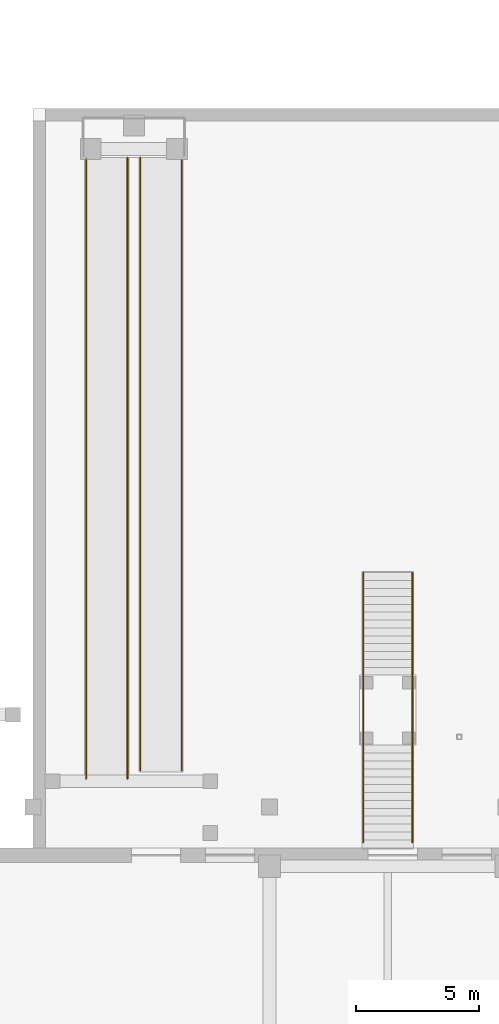
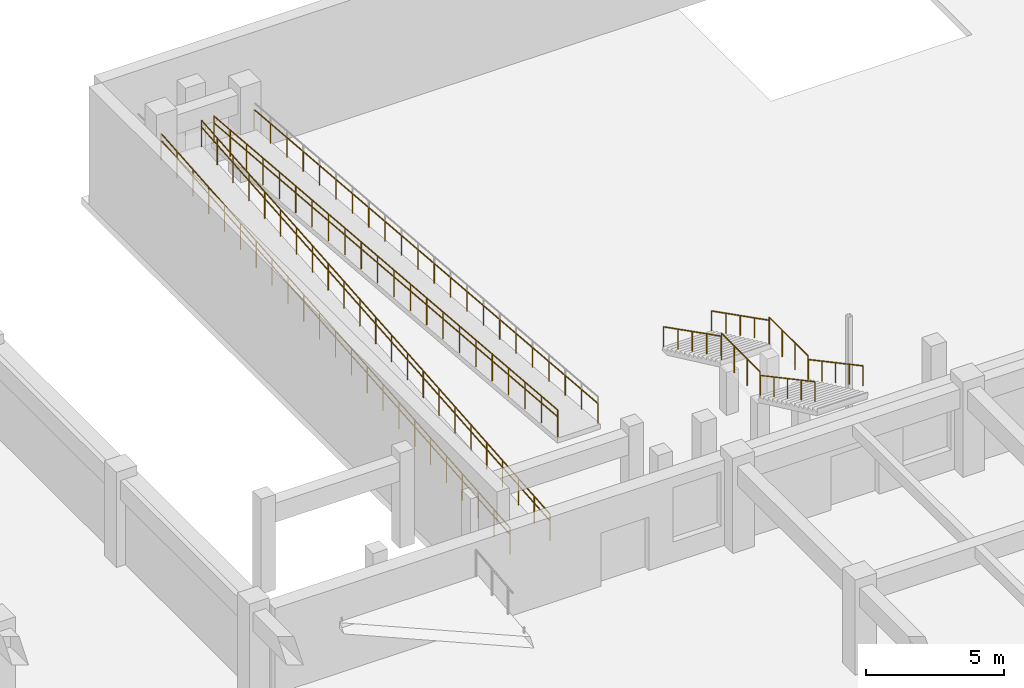
# One storey, part 32 of 39: 13 railings.
"""IFC4 building model written with IfcOpenShell, lengths in metres."""

import ifcopenshell
import ifcopenshell.guid

model = None  # the IFC model being written
_history = None  # IfcOwnerHistory: only IFC2X3 demands one
_inside = {}  # id of a spatial element -> (the spatial element, [elements in it])
_under = {}  # id of a project, library or spatial element -> (it, [spatial elements below it])
_declared = {}  # id of a project -> (the project, [libraries it declares])
_typed = {}  # id of a type object -> (the type object, [elements of that type])
_made_of = {}  # id of a material, layer set ... -> (it, [elements and type objects made of it])


def new_model(schema):
    """Start an empty IFC model of exactly this schema.

    Asked for "IFC4X3", IfcOpenShell would pick the latest addendum, in which some entities
    have other attributes; the version numbers below select the first issue.
    IFC2X3 requires an IfcOwnerHistory on every rooted entity: one is made here for all.
    """
    global model, _history
    if schema == "IFC4X3":
        model = ifcopenshell.file(schema_version=(4, 3, 0, 0))
    else:
        model = ifcopenshell.file(schema=schema)
    _inside.clear()
    _under.clear()
    _declared.clear()
    _typed.clear()
    _made_of.clear()
    _history = None
    if model.schema == "IFC2X3":
        org = make("IfcOrganization", Name="unknown")
        user = make(
            "IfcPersonAndOrganization",
            ThePerson=make("IfcPerson", FamilyName="unknown"),
            TheOrganization=org,
        )
        app = make(
            "IfcApplication",
            ApplicationDeveloper=org,
            Version="unknown",
            ApplicationFullName="unknown",
            ApplicationIdentifier="unknown",
        )
        _history = make(
            "IfcOwnerHistory",
            OwningUser=user,
            OwningApplication=app,
            ChangeAction="ADDED",
            CreationDate=0,
        )
    return model


def make(cls, **values):
    """One entity of the class cls with the attributes given. An attribute that is None is left unset."""
    return model.create_entity(
        cls, **{name: value for name, value in values.items() if value is not None}
    )


def rooted(cls, **values):
    """An entity with a GlobalId (a new one), such as an element, a storey or a relation."""
    return make(cls, GlobalId=ifcopenshell.guid.new(), OwnerHistory=_history, **values)


def si_unit(unit_type, name, prefix=None):
    """IfcSIUnit, for example si_unit("LENGTHUNIT", "METRE", prefix="MILLI")."""
    return make("IfcSIUnit", UnitType=unit_type, Prefix=prefix, Name=name)


def assignment(units):
    """IfcUnitAssignment: the units of a project."""
    return None if units is None else make("IfcUnitAssignment", Units=units)


def point(xyz):
    """IfcCartesianPoint."""
    return None if xyz is None else make("IfcCartesianPoint", Coordinates=xyz)


def direction(xyz):
    """IfcDirection."""
    return None if xyz is None else make("IfcDirection", DirectionRatios=xyz)


def frame(location, z_axis=None, x_axis=None):
    """IfcAxis2Placement3D, a coordinate frame: its origin and axes. An axis left out is left unset."""
    return make(
        "IfcAxis2Placement3D",
        Location=point(location),
        Axis=direction(z_axis),
        RefDirection=direction(x_axis),
    )


def frame_2d(location, x_axis=None):
    """IfcAxis2Placement2D, a coordinate frame in the plane: its origin and x axis."""
    return make(
        "IfcAxis2Placement2D", Location=point(location), RefDirection=direction(x_axis)
    )


def origin():
    """The frame at (0, 0, 0) with its axes left unset."""
    return frame((0.0, 0.0, 0.0))


def origin_2d():
    """The frame at (0, 0) in the plane with its x axis left unset."""
    return frame_2d((0.0, 0.0))


def place(relative_to, where):
    """IfcLocalPlacement: puts the frame where relative to a parent placement (None: the world)."""
    return make(
        "IfcLocalPlacement", PlacementRelTo=relative_to, RelativePlacement=where
    )


def context(
    kind, dimensions, precision=None, world=None, true_north=None, identifier=None
):
    """IfcGeometricRepresentationContext, for example the 3D "Model" context."""
    return make(
        "IfcGeometricRepresentationContext",
        ContextIdentifier=identifier,
        ContextType=kind,
        CoordinateSpaceDimension=dimensions,
        Precision=precision,
        WorldCoordinateSystem=world,
        TrueNorth=true_north,
    )


def subcontext(parent, identifier, kind, view, scale=None):
    """IfcGeometricRepresentationSubContext, for example "Body" below "Model"."""
    return make(
        "IfcGeometricRepresentationSubContext",
        ContextIdentifier=identifier,
        ContextType=kind,
        ParentContext=parent,
        TargetScale=scale,
        TargetView=view,
    )


def project(units=None, contexts=None):
    """IfcProject with its units and contexts."""
    return rooted(
        "IfcProject",
        Name="project",
        RepresentationContexts=contexts,
        UnitsInContext=assignment(units),
    )


def spatial(cls, under=None, at=None, **own):
    """A site, building, storey or space (cls), placed at a placement, below another one or the project."""
    s = rooted(cls, ObjectPlacement=at, **own)
    if under is not None:
        _under.setdefault(under.id(), (under, []))[1].append(s)
    return s


def profile(cls, at=None, kind="AREA", **sizes):
    """A parametric profile (cls). Its sizes go by their IFC names, for example OverallWidth=200.0."""
    return make(cls, ProfileType=kind, Position=at, **sizes)


def circle(**sizes):
    """IfcCircleProfileDef."""
    return profile("IfcCircleProfileDef", **sizes)


def extrude(swept, where, along, depth):
    """IfcExtrudedAreaSolid: the profile swept, set in the frame where, extruded along a direction by depth."""
    return make(
        "IfcExtrudedAreaSolid",
        SweptArea=swept,
        Position=where,
        ExtrudedDirection=direction(along),
        Depth=depth,
    )


def shape(context_of_items, identifier, shape_type, items):
    """IfcShapeRepresentation: the items that make up one representation, for example the "Body"."""
    return make(
        "IfcShapeRepresentation",
        ContextOfItems=context_of_items,
        RepresentationIdentifier=identifier,
        RepresentationType=shape_type,
        Items=items,
    )


def material(Name=None, Category=None):
    """IfcMaterial."""
    return make("IfcMaterial", Name=Name, Category=Category)


def made_of(thing, what):
    """Note that an element or type object is made of a material, layer set ...; save() writes the relation."""
    if what is not None:
        _made_of.setdefault(what.id(), (what, []))[1].append(thing)
    return thing


def type_object(cls, material=None, **own):
    """A type object (cls), such as IfcWallType, which elements share."""
    return made_of(rooted(cls, **own), material)


def element(
    cls,
    number,
    at=None,
    inside=None,
    cuts=None,
    type_object=None,
    material=None,
    context=None,
    identifier="Body",
    shape_type=None,
    held_by="IfcProductDefinitionShape",
    body=None,
    shapes=None,
    **own,
):
    """One element of the class cls, such as IfcWall. Its Tag is "e" and its number.

    at: its placement. inside: the storey or other place that contains it. cuts: it is an
    opening in that element (IfcRelVoidsElement). A single representation is given by context,
    identifier, shape_type and body (its items); several are given by shapes. held_by: the class
    of the entity that holds the representations. save() writes the other relations.
    """
    e = rooted(cls, Tag="e%d" % number, ObjectPlacement=at, **own)
    if body is not None:
        shapes = [shape(context, identifier, shape_type, body)]
    if shapes is not None:
        e.Representation = make(held_by, Representations=shapes)
    if inside is not None:
        _inside.setdefault(inside.id(), (inside, []))[1].append(e)
    if cuts is not None:
        rooted(
            "IfcRelVoidsElement", RelatingBuildingElement=cuts, RelatedOpeningElement=e
        )
    if type_object is not None:
        _typed.setdefault(type_object.id(), (type_object, []))[1].append(e)
    return made_of(e, material)


def aggregate(whole, parts):
    """IfcRelAggregates: a whole, such as a stair, and the parts it consists of."""
    return rooted("IfcRelAggregates", RelatingObject=whole, RelatedObjects=parts)


def save(model, path):
    """Write the relations noted so far, then the file.

    IfcRelAggregates (storeys below a building ...), IfcRelContainedInSpatialStructure (elements
    in a storey), IfcRelDefinesByType, IfcRelAssociatesMaterial and IfcRelDeclares: one each for
    every whole, place, type object, material and project.
    """
    for whole, parts in _under.values():
        aggregate(whole, parts)
    for where, things in _inside.values():
        rooted(
            "IfcRelContainedInSpatialStructure",
            RelatedElements=things,
            RelatingStructure=where,
        )
    for kind, things in _typed.values():
        rooted("IfcRelDefinesByType", RelatedObjects=things, RelatingType=kind)
    for what, things in _made_of.values():
        rooted("IfcRelAssociatesMaterial", RelatedObjects=things, RelatingMaterial=what)
    for by, libraries in _declared.values():
        rooted("IfcRelDeclares", RelatingContext=by, RelatedDefinitions=libraries)
    model.write(path)


model = new_model("IFC4")

# Units and contexts
model_context = context("Model", 3, precision=1e-05, world=origin(), true_north=direction((0.0, 1.0)))
body_context = subcontext(model_context, "Body", "Model", "MODEL_VIEW")
ifc_project = project(units=[si_unit("LENGTHUNIT", "METRE"), si_unit("AREAUNIT", "SQUARE_METRE"), si_unit("VOLUMEUNIT", "CUBIC_METRE"), si_unit("PLANEANGLEUNIT", "RADIAN"), si_unit("MASSUNIT", "GRAM", prefix="KILO")], contexts=[model_context])

# Site, building, storey
site_placement = place(None, origin())
site = spatial("IfcSite", under=ifc_project, at=site_placement, CompositionType="ELEMENT")
building_placement = place(site_placement, origin())
building = spatial("IfcBuilding", under=site, at=building_placement, Name="Nakhvara Creek Congress Hotel", CompositionType="ELEMENT")
storey_placement = place(building_placement, frame((0.0, 0.0, -4.199951171875)))
storey = spatial("IfcBuildingStorey", under=building, at=storey_placement, Name="B1", CompositionType="ELEMENT", Elevation=-4.199951171875)

# Railings
ifc_material_1 = material(Name="Bronze-anodised aluminium and laminated safety glass balustrade", Category="aluminium")
railing_type_1 = type_object("IfcRailingType", Name="RL-BALUS-1200", PredefinedType="BALUSTRADE", material=ifc_material_1)
for number, where, name in (
    (1, (80.60009765625, 102.97998046875, 2.099853515625), "Forecourt Stair Landing Guard ST21"),
    (2, (82.60009765625, 102.97998046875, 2.099853515625), "Forecourt Stair Landing Guard ST21"),
):
    element("IfcRailing", number, at=place(storey_placement, frame(where)), inside=storey, type_object=railing_type_1, Name=name, PredefinedType="BALUSTRADE", context=body_context, shape_type="SweptSolid", body=[
        extrude(circle(Radius=0.02392578125, at=origin_2d()), frame((0.0, -0.0146484375, 1.17578125), z_axis=(0.0, -1.0, 0.0), x_axis=(1.0, 0.0, 0.0)), (0.0, 0.0, 1.0), 2.770751953125),
        extrude(circle(Radius=0.02099609375, at=origin_2d()), origin(), (0.0, 0.0, 1.0), 1.1806640625),
        extrude(circle(Radius=0.02099609375, at=origin_2d()), frame((0.0, -0.933349609375, 0.0)), (0.0, 0.0, 1.0), 1.1806640625),
        extrude(circle(Radius=0.02099609375, at=origin_2d()), frame((0.0, -1.86669921875, 0.0)), (0.0, 0.0, 1.0), 1.1806640625),
        extrude(circle(Radius=0.02099609375, at=origin_2d()), frame((0.0, -2.800048828125, 0.0)), (0.0, 0.0, 1.0), 1.1806640625),
    ])
railing_1_placement = place(storey_placement, frame((69.360107421875, 98.800048828125, 0.0)))
element("IfcRailing", 3, at=railing_1_placement, inside=storey, type_object=railing_type_1, Name="Ramp Guard PR01-1L", PredefinedType="BALUSTRADE", context=body_context, shape_type="SweptSolid", body=[
    extrude(circle(Radius=0.02392578125, at=origin_2d()), frame((0.0, 0.0146484375, 1.177001953125), z_axis=(0.0, 0.996546224317, 0.083039886798), x_axis=(-1.0, 0.0, 0.0)), (0.0, 0.0, 1.0), 25.2578125),
    extrude(circle(Radius=0.02099609375, at=origin_2d()), origin(), (0.0, 0.0, 1.0), 1.1806640625),
    extrude(circle(Radius=0.02099609375, at=origin_2d()), frame((0.0, 1.1455078125, 0.095458984375)), (0.0, 0.0, 1.0), 1.1806640625),
    extrude(circle(Radius=0.02099609375, at=origin_2d()), frame((0.0, 2.291015625, 0.19091796875)), (0.0, 0.0, 1.0), 1.1806640625),
    extrude(circle(Radius=0.02099609375, at=origin_2d()), frame((0.0, 3.436279296875, 0.286376953125)), (0.0, 0.0, 1.0), 1.1806640625),
    extrude(circle(Radius=0.02099609375, at=origin_2d()), frame((0.0, 4.581787109375, 0.3818359375)), (0.0, 0.0, 1.0), 1.1806640625),
    extrude(circle(Radius=0.02099609375, at=origin_2d()), frame((0.0, 5.727294921875, 0.477294921875)), (0.0, 0.0, 1.0), 1.1806640625),
    extrude(circle(Radius=0.02099609375, at=origin_2d()), frame((0.0, 6.872802734375, 0.57275390625)), (0.0, 0.0, 1.0), 1.1806640625),
    extrude(circle(Radius=0.02099609375, at=origin_2d()), frame((0.0, 8.01806640625, 0.668212890625)), (0.0, 0.0, 1.0), 1.1806640625),
    extrude(circle(Radius=0.02099609375, at=origin_2d()), frame((0.0, 9.16357421875, 0.763671875)), (0.0, 0.0, 1.0), 1.1806640625),
    extrude(circle(Radius=0.02099609375, at=origin_2d()), frame((0.0, 10.30908203125, 0.859130859375)), (0.0, 0.0, 1.0), 1.1806640625),
    extrude(circle(Radius=0.02099609375, at=origin_2d()), frame((0.0, 11.45458984375, 0.95458984375)), (0.0, 0.0, 1.0), 1.1806640625),
    extrude(circle(Radius=0.02099609375, at=origin_2d()), frame((0.0, 12.60009765625, 1.0498046875)), (0.0, 0.0, 1.0), 1.1806640625),
    extrude(circle(Radius=0.02099609375, at=origin_2d()), frame((0.0, 13.745361328125, 1.145263671875)), (0.0, 0.0, 1.0), 1.1806640625),
    extrude(circle(Radius=0.02099609375, at=origin_2d()), frame((0.0, 14.890869140625, 1.24072265625)), (0.0, 0.0, 1.0), 1.1806640625),
    extrude(circle(Radius=0.02099609375, at=origin_2d()), frame((0.0, 16.036376953125, 1.336181640625)), (0.0, 0.0, 1.0), 1.1806640625),
    extrude(circle(Radius=0.02099609375, at=origin_2d()), frame((0.0, 17.181884765625, 1.431640625)), (0.0, 0.0, 1.0), 1.1806640625),
    extrude(circle(Radius=0.02099609375, at=origin_2d()), frame((0.0, 18.3271484375, 1.527099609375)), (0.0, 0.0, 1.0), 1.1806640625),
    extrude(circle(Radius=0.02099609375, at=origin_2d()), frame((0.0, 19.47265625, 1.62255859375)), (0.0, 0.0, 1.0), 1.1806640625),
    extrude(circle(Radius=0.02099609375, at=origin_2d()), frame((0.0, 20.6181640625, 1.718017578125)), (0.0, 0.0, 1.0), 1.1806640625),
    extrude(circle(Radius=0.02099609375, at=origin_2d()), frame((0.0, 21.763671875, 1.8134765625)), (0.0, 0.0, 1.0), 1.1806640625),
    extrude(circle(Radius=0.02099609375, at=origin_2d()), frame((0.0, 22.908935546875, 1.908935546875)), (0.0, 0.0, 1.0), 1.1806640625),
    extrude(circle(Radius=0.02099609375, at=origin_2d()), frame((0.0, 24.054443359375, 2.00439453125)), (0.0, 0.0, 1.0), 1.1806640625),
    extrude(circle(Radius=0.02099609375, at=origin_2d()), frame((0.0, 25.199951171875, 2.099853515625)), (0.0, 0.0, 1.0), 1.1806640625),
])
railing_2_placement = place(storey_placement, frame((71.0400390625, 98.800048828125, 0.0)))
element("IfcRailing", 4, at=railing_2_placement, inside=storey, type_object=railing_type_1, Name="Ramp Guard PR01-1R", PredefinedType="BALUSTRADE", context=body_context, shape_type="SweptSolid", body=[
    extrude(circle(Radius=0.02392578125, at=origin_2d()), frame((0.0, 0.0146484375, 1.177001953125), z_axis=(0.0, 0.996546224317, 0.083039886798), x_axis=(-1.0, 0.0, 0.0)), (0.0, 0.0, 1.0), 25.2578125),
    extrude(circle(Radius=0.02099609375, at=origin_2d()), origin(), (0.0, 0.0, 1.0), 1.1806640625),
    extrude(circle(Radius=0.02099609375, at=origin_2d()), frame((0.0, 1.1455078125, 0.095458984375)), (0.0, 0.0, 1.0), 1.1806640625),
    extrude(circle(Radius=0.02099609375, at=origin_2d()), frame((0.0, 2.291015625, 0.19091796875)), (0.0, 0.0, 1.0), 1.1806640625),
    extrude(circle(Radius=0.02099609375, at=origin_2d()), frame((0.0, 3.436279296875, 0.286376953125)), (0.0, 0.0, 1.0), 1.1806640625),
    extrude(circle(Radius=0.02099609375, at=origin_2d()), frame((0.0, 4.581787109375, 0.3818359375)), (0.0, 0.0, 1.0), 1.1806640625),
    extrude(circle(Radius=0.02099609375, at=origin_2d()), frame((0.0, 5.727294921875, 0.477294921875)), (0.0, 0.0, 1.0), 1.1806640625),
    extrude(circle(Radius=0.02099609375, at=origin_2d()), frame((0.0, 6.872802734375, 0.57275390625)), (0.0, 0.0, 1.0), 1.1806640625),
    extrude(circle(Radius=0.02099609375, at=origin_2d()), frame((0.0, 8.01806640625, 0.668212890625)), (0.0, 0.0, 1.0), 1.1806640625),
    extrude(circle(Radius=0.02099609375, at=origin_2d()), frame((0.0, 9.16357421875, 0.763671875)), (0.0, 0.0, 1.0), 1.1806640625),
    extrude(circle(Radius=0.02099609375, at=origin_2d()), frame((0.0, 10.30908203125, 0.859130859375)), (0.0, 0.0, 1.0), 1.1806640625),
    extrude(circle(Radius=0.02099609375, at=origin_2d()), frame((0.0, 11.45458984375, 0.95458984375)), (0.0, 0.0, 1.0), 1.1806640625),
    extrude(circle(Radius=0.02099609375, at=origin_2d()), frame((0.0, 12.60009765625, 1.0498046875)), (0.0, 0.0, 1.0), 1.1806640625),
    extrude(circle(Radius=0.02099609375, at=origin_2d()), frame((0.0, 13.745361328125, 1.145263671875)), (0.0, 0.0, 1.0), 1.1806640625),
    extrude(circle(Radius=0.02099609375, at=origin_2d()), frame((0.0, 14.890869140625, 1.24072265625)), (0.0, 0.0, 1.0), 1.1806640625),
    extrude(circle(Radius=0.02099609375, at=origin_2d()), frame((0.0, 16.036376953125, 1.336181640625)), (0.0, 0.0, 1.0), 1.1806640625),
    extrude(circle(Radius=0.02099609375, at=origin_2d()), frame((0.0, 17.181884765625, 1.431640625)), (0.0, 0.0, 1.0), 1.1806640625),
    extrude(circle(Radius=0.02099609375, at=origin_2d()), frame((0.0, 18.3271484375, 1.527099609375)), (0.0, 0.0, 1.0), 1.1806640625),
    extrude(circle(Radius=0.02099609375, at=origin_2d()), frame((0.0, 19.47265625, 1.62255859375)), (0.0, 0.0, 1.0), 1.1806640625),
    extrude(circle(Radius=0.02099609375, at=origin_2d()), frame((0.0, 20.6181640625, 1.718017578125)), (0.0, 0.0, 1.0), 1.1806640625),
    extrude(circle(Radius=0.02099609375, at=origin_2d()), frame((0.0, 21.763671875, 1.8134765625)), (0.0, 0.0, 1.0), 1.1806640625),
    extrude(circle(Radius=0.02099609375, at=origin_2d()), frame((0.0, 22.908935546875, 1.908935546875)), (0.0, 0.0, 1.0), 1.1806640625),
    extrude(circle(Radius=0.02099609375, at=origin_2d()), frame((0.0, 24.054443359375, 2.00439453125)), (0.0, 0.0, 1.0), 1.1806640625),
    extrude(circle(Radius=0.02099609375, at=origin_2d()), frame((0.0, 25.199951171875, 2.099853515625)), (0.0, 0.0, 1.0), 1.1806640625),
])
railing_3_placement = place(storey_placement, frame((71.56005859375, 124.0, 2.099853515625)))
element("IfcRailing", 5, at=railing_3_placement, inside=storey, type_object=railing_type_1, Name="Ramp Guard PR01-2L", PredefinedType="BALUSTRADE", context=body_context, shape_type="SweptSolid", body=[
    extrude(circle(Radius=0.02392578125, at=origin_2d()), frame((0.0, -0.0146484375, 1.17724609375), z_axis=(0.0, -0.996447991047, 0.08421045742), x_axis=(1.0, 0.0, 0.0)), (0.0, 0.0, 1.0), 24.9091796875),
    extrude(circle(Radius=0.02099609375, at=origin_2d()), origin(), (0.0, 0.0, 1.0), 1.1806640625),
    extrude(circle(Radius=0.02099609375, at=origin_2d()), frame((0.0, -1.183349609375, 0.10009765625)), (0.0, 0.0, 1.0), 1.1806640625),
    extrude(circle(Radius=0.02099609375, at=origin_2d()), frame((0.0, -2.36669921875, 0.199951171875)), (0.0, 0.0, 1.0), 1.1806640625),
    extrude(circle(Radius=0.02099609375, at=origin_2d()), frame((0.0, -3.550048828125, 0.300048828125)), (0.0, 0.0, 1.0), 1.1806640625),
    extrude(circle(Radius=0.02099609375, at=origin_2d()), frame((0.0, -4.7333984375, 0.39990234375)), (0.0, 0.0, 1.0), 1.1806640625),
    extrude(circle(Radius=0.02099609375, at=origin_2d()), frame((0.0, -5.916748046875, 0.5)), (0.0, 0.0, 1.0), 1.1806640625),
    extrude(circle(Radius=0.02099609375, at=origin_2d()), frame((0.0, -7.10009765625, 0.60009765625)), (0.0, 0.0, 1.0), 1.1806640625),
    extrude(circle(Radius=0.02099609375, at=origin_2d()), frame((0.0, -8.283447265625, 0.699951171875)), (0.0, 0.0, 1.0), 1.1806640625),
    extrude(circle(Radius=0.02099609375, at=origin_2d()), frame((0.0, -9.466796875, 0.800048828125)), (0.0, 0.0, 1.0), 1.1806640625),
    extrude(circle(Radius=0.02099609375, at=origin_2d()), frame((0.0, -10.650146484375, 0.900146484375)), (0.0, 0.0, 1.0), 1.1806640625),
    extrude(circle(Radius=0.02099609375, at=origin_2d()), frame((0.0, -11.83349609375, 1.0)), (0.0, 0.0, 1.0), 1.1806640625),
    extrude(circle(Radius=0.02099609375, at=origin_2d()), frame((0.0, -13.0166015625, 1.10009765625)), (0.0, 0.0, 1.0), 1.1806640625),
    extrude(circle(Radius=0.02099609375, at=origin_2d()), frame((0.0, -14.199951171875, 1.199951171875)), (0.0, 0.0, 1.0), 1.1806640625),
    extrude(circle(Radius=0.02099609375, at=origin_2d()), frame((0.0, -15.38330078125, 1.300048828125)), (0.0, 0.0, 1.0), 1.1806640625),
    extrude(circle(Radius=0.02099609375, at=origin_2d()), frame((0.0, -16.566650390625, 1.400146484375)), (0.0, 0.0, 1.0), 1.1806640625),
    extrude(circle(Radius=0.02099609375, at=origin_2d()), frame((0.0, -17.75, 1.5)), (0.0, 0.0, 1.0), 1.1806640625),
    extrude(circle(Radius=0.02099609375, at=origin_2d()), frame((0.0, -18.933349609375, 1.60009765625)), (0.0, 0.0, 1.0), 1.1806640625),
    extrude(circle(Radius=0.02099609375, at=origin_2d()), frame((0.0, -20.11669921875, 1.7001953125)), (0.0, 0.0, 1.0), 1.1806640625),
    extrude(circle(Radius=0.02099609375, at=origin_2d()), frame((0.0, -21.300048828125, 1.800048828125)), (0.0, 0.0, 1.0), 1.1806640625),
    extrude(circle(Radius=0.02099609375, at=origin_2d()), frame((0.0, -22.4833984375, 1.900146484375)), (0.0, 0.0, 1.0), 1.1806640625),
    extrude(circle(Radius=0.02099609375, at=origin_2d()), frame((0.0, -23.666748046875, 2.0)), (0.0, 0.0, 1.0), 1.1806640625),
    extrude(circle(Radius=0.02099609375, at=origin_2d()), frame((0.0, -24.85009765625, 2.10009765625)), (0.0, 0.0, 1.0), 1.1806640625),
])
ifc_material_2 = material(Name="Brushed stainless steel 316L", Category="steel")
railing_type_2 = type_object("IfcRailingType", Name="RL-HAND-900", PredefinedType="HANDRAIL", material=ifc_material_2)
railing_4_placement = place(storey_placement, frame((80.60009765625, 107.159912109375, 0.14990234375)))
element("IfcRailing", 6, at=railing_4_placement, inside=storey, type_object=railing_type_2, Name="Forecourt Stair Lower Handrail ST21", PredefinedType="HANDRAIL", context=body_context, shape_type="SweptSolid", body=[
    extrude(circle(Radius=0.02392578125, at=origin_2d()), frame((0.0, -0.01318359375, 0.882568359375), z_axis=(0.0, -0.891742157623, 0.452543836902), x_axis=(1.0, 0.0, 0.0)), (0.0, 0.0, 1.0), 4.635498046875),
    extrude(circle(Radius=0.02099609375, at=origin_2d()), origin(), (0.0, 0.0, 1.0), 0.880615234375),
    extrude(circle(Radius=0.02099609375, at=origin_2d()), frame((0.0, -1.0400390625, 0.52783203125)), (0.0, 0.0, 1.0), 0.880615234375),
    extrude(circle(Radius=0.02099609375, at=origin_2d()), frame((0.0, -2.080078125, 1.0556640625)), (0.0, 0.0, 1.0), 0.880615234375),
    extrude(circle(Radius=0.02099609375, at=origin_2d()), frame((0.0, -3.119873046875, 1.583251953125)), (0.0, 0.0, 1.0), 0.880615234375),
    extrude(circle(Radius=0.02099609375, at=origin_2d()), frame((0.0, -4.159912109375, 2.111083984375)), (0.0, 0.0, 1.0), 0.880615234375),
])
railing_5_placement = place(storey_placement, frame((80.60009765625, 100.159912109375, 2.25)))
element("IfcRailing", 7, at=railing_5_placement, inside=storey, type_object=railing_type_2, Name="Forecourt Stair Upper Handrail ST21", PredefinedType="HANDRAIL", context=body_context, shape_type="SweptSolid", body=[
    extrude(circle(Radius=0.02392578125, at=origin_2d()), frame((0.0, -0.012939453125, 0.8828125), z_axis=(0.0, -0.88146535362, 0.472248695464), x_axis=(1.0, 0.0, 0.0)), (0.0, 0.0, 1.0), 4.4404296875),
    extrude(circle(Radius=0.02099609375, at=origin_2d()), origin(), (0.0, 0.0, 1.0), 0.880615234375),
    extrude(circle(Radius=0.02099609375, at=origin_2d()), frame((0.0, -0.98486328125, 0.52783203125)), (0.0, 0.0, 1.0), 0.880615234375),
    extrude(circle(Radius=0.02099609375, at=origin_2d()), frame((0.0, -1.969970703125, 1.055419921875)), (0.0, 0.0, 1.0), 0.880615234375),
    extrude(circle(Radius=0.02099609375, at=origin_2d()), frame((0.0, -2.955078125, 1.5830078125)), (0.0, 0.0, 1.0), 0.880615234375),
    extrude(circle(Radius=0.02099609375, at=origin_2d()), frame((0.0, -3.93994140625, 2.11083984375)), (0.0, 0.0, 1.0), 0.880615234375),
])
railing_6_placement = place(storey_placement, frame((82.60009765625, 107.159912109375, 0.14990234375)))
element("IfcRailing", 8, at=railing_6_placement, inside=storey, type_object=railing_type_2, Name="Forecourt Stair Lower Handrail ST21", PredefinedType="HANDRAIL", context=body_context, shape_type="SweptSolid", body=[
    extrude(circle(Radius=0.02392578125, at=origin_2d()), frame((0.0, -0.01318359375, 0.882568359375), z_axis=(0.0, -0.891742157623, 0.452543836902), x_axis=(1.0, 0.0, 0.0)), (0.0, 0.0, 1.0), 4.635498046875),
    extrude(circle(Radius=0.02099609375, at=origin_2d()), origin(), (0.0, 0.0, 1.0), 0.880615234375),
    extrude(circle(Radius=0.02099609375, at=origin_2d()), frame((0.0, -1.0400390625, 0.52783203125)), (0.0, 0.0, 1.0), 0.880615234375),
    extrude(circle(Radius=0.02099609375, at=origin_2d()), frame((0.0, -2.080078125, 1.0556640625)), (0.0, 0.0, 1.0), 0.880615234375),
    extrude(circle(Radius=0.02099609375, at=origin_2d()), frame((0.0, -3.119873046875, 1.583251953125)), (0.0, 0.0, 1.0), 0.880615234375),
    extrude(circle(Radius=0.02099609375, at=origin_2d()), frame((0.0, -4.159912109375, 2.111083984375)), (0.0, 0.0, 1.0), 0.880615234375),
])
railing_7_placement = place(storey_placement, frame((82.60009765625, 100.159912109375, 2.25)))
element("IfcRailing", 9, at=railing_7_placement, inside=storey, type_object=railing_type_2, Name="Forecourt Stair Upper Handrail ST21", PredefinedType="HANDRAIL", context=body_context, shape_type="SweptSolid", body=[
    extrude(circle(Radius=0.02392578125, at=origin_2d()), frame((0.0, -0.012939453125, 0.8828125), z_axis=(0.0, -0.88146535362, 0.472248695464), x_axis=(1.0, 0.0, 0.0)), (0.0, 0.0, 1.0), 4.4404296875),
    extrude(circle(Radius=0.02099609375, at=origin_2d()), origin(), (0.0, 0.0, 1.0), 0.880615234375),
    extrude(circle(Radius=0.02099609375, at=origin_2d()), frame((0.0, -0.98486328125, 0.52783203125)), (0.0, 0.0, 1.0), 0.880615234375),
    extrude(circle(Radius=0.02099609375, at=origin_2d()), frame((0.0, -1.969970703125, 1.055419921875)), (0.0, 0.0, 1.0), 0.880615234375),
    extrude(circle(Radius=0.02099609375, at=origin_2d()), frame((0.0, -2.955078125, 1.5830078125)), (0.0, 0.0, 1.0), 0.880615234375),
    extrude(circle(Radius=0.02099609375, at=origin_2d()), frame((0.0, -3.93994140625, 2.11083984375)), (0.0, 0.0, 1.0), 0.880615234375),
])
railing_8_placement = place(storey_placement, frame((69.360107421875, 98.800048828125, 0.0)))
element("IfcRailing", 10, at=railing_8_placement, inside=storey, type_object=railing_type_2, Name="Ramp Handrail PR01-1L", PredefinedType="HANDRAIL", context=body_context, shape_type="SweptSolid", body=[
    extrude(circle(Radius=0.02392578125, at=origin_2d()), frame((0.0, 0.0146484375, 0.876953125), z_axis=(0.0, 0.996546224317, 0.083039886798), x_axis=(-1.0, 0.0, 0.0)), (0.0, 0.0, 1.0), 25.2578125),
    extrude(circle(Radius=0.02099609375, at=origin_2d()), origin(), (0.0, 0.0, 1.0), 0.880615234375),
    extrude(circle(Radius=0.02099609375, at=origin_2d()), frame((0.0, 1.1455078125, 0.095458984375)), (0.0, 0.0, 1.0), 0.880615234375),
    extrude(circle(Radius=0.02099609375, at=origin_2d()), frame((0.0, 2.291015625, 0.19091796875)), (0.0, 0.0, 1.0), 0.880615234375),
    extrude(circle(Radius=0.02099609375, at=origin_2d()), frame((0.0, 3.436279296875, 0.286376953125)), (0.0, 0.0, 1.0), 0.880615234375),
    extrude(circle(Radius=0.02099609375, at=origin_2d()), frame((0.0, 4.581787109375, 0.3818359375)), (0.0, 0.0, 1.0), 0.880615234375),
    extrude(circle(Radius=0.02099609375, at=origin_2d()), frame((0.0, 5.727294921875, 0.477294921875)), (0.0, 0.0, 1.0), 0.880615234375),
    extrude(circle(Radius=0.02099609375, at=origin_2d()), frame((0.0, 6.872802734375, 0.57275390625)), (0.0, 0.0, 1.0), 0.880615234375),
    extrude(circle(Radius=0.02099609375, at=origin_2d()), frame((0.0, 8.01806640625, 0.668212890625)), (0.0, 0.0, 1.0), 0.880615234375),
    extrude(circle(Radius=0.02099609375, at=origin_2d()), frame((0.0, 9.16357421875, 0.763671875)), (0.0, 0.0, 1.0), 0.880615234375),
    extrude(circle(Radius=0.02099609375, at=origin_2d()), frame((0.0, 10.30908203125, 0.859130859375)), (0.0, 0.0, 1.0), 0.880615234375),
    extrude(circle(Radius=0.02099609375, at=origin_2d()), frame((0.0, 11.45458984375, 0.95458984375)), (0.0, 0.0, 1.0), 0.880615234375),
    extrude(circle(Radius=0.02099609375, at=origin_2d()), frame((0.0, 12.60009765625, 1.0498046875)), (0.0, 0.0, 1.0), 0.880615234375),
    extrude(circle(Radius=0.02099609375, at=origin_2d()), frame((0.0, 13.745361328125, 1.145263671875)), (0.0, 0.0, 1.0), 0.880615234375),
    extrude(circle(Radius=0.02099609375, at=origin_2d()), frame((0.0, 14.890869140625, 1.24072265625)), (0.0, 0.0, 1.0), 0.880615234375),
    extrude(circle(Radius=0.02099609375, at=origin_2d()), frame((0.0, 16.036376953125, 1.336181640625)), (0.0, 0.0, 1.0), 0.880615234375),
    extrude(circle(Radius=0.02099609375, at=origin_2d()), frame((0.0, 17.181884765625, 1.431640625)), (0.0, 0.0, 1.0), 0.880615234375),
    extrude(circle(Radius=0.02099609375, at=origin_2d()), frame((0.0, 18.3271484375, 1.527099609375)), (0.0, 0.0, 1.0), 0.880615234375),
    extrude(circle(Radius=0.02099609375, at=origin_2d()), frame((0.0, 19.47265625, 1.62255859375)), (0.0, 0.0, 1.0), 0.880615234375),
    extrude(circle(Radius=0.02099609375, at=origin_2d()), frame((0.0, 20.6181640625, 1.718017578125)), (0.0, 0.0, 1.0), 0.880615234375),
    extrude(circle(Radius=0.02099609375, at=origin_2d()), frame((0.0, 21.763671875, 1.8134765625)), (0.0, 0.0, 1.0), 0.880615234375),
    extrude(circle(Radius=0.02099609375, at=origin_2d()), frame((0.0, 22.908935546875, 1.908935546875)), (0.0, 0.0, 1.0), 0.880615234375),
    extrude(circle(Radius=0.02099609375, at=origin_2d()), frame((0.0, 24.054443359375, 2.00439453125)), (0.0, 0.0, 1.0), 0.880615234375),
    extrude(circle(Radius=0.02099609375, at=origin_2d()), frame((0.0, 25.199951171875, 2.099853515625)), (0.0, 0.0, 1.0), 0.880615234375),
])
railing_9_placement = place(storey_placement, frame((71.0400390625, 98.800048828125, 0.0)))
element("IfcRailing", 11, at=railing_9_placement, inside=storey, type_object=railing_type_2, Name="Ramp Handrail PR01-1R", PredefinedType="HANDRAIL", context=body_context, shape_type="SweptSolid", body=[
    extrude(circle(Radius=0.02392578125, at=origin_2d()), frame((0.0, 0.0146484375, 0.876953125), z_axis=(0.0, 0.996546224317, 0.083039886798), x_axis=(-1.0, 0.0, 0.0)), (0.0, 0.0, 1.0), 25.2578125),
    extrude(circle(Radius=0.02099609375, at=origin_2d()), origin(), (0.0, 0.0, 1.0), 0.880615234375),
    extrude(circle(Radius=0.02099609375, at=origin_2d()), frame((0.0, 1.1455078125, 0.095458984375)), (0.0, 0.0, 1.0), 0.880615234375),
    extrude(circle(Radius=0.02099609375, at=origin_2d()), frame((0.0, 2.291015625, 0.19091796875)), (0.0, 0.0, 1.0), 0.880615234375),
    extrude(circle(Radius=0.02099609375, at=origin_2d()), frame((0.0, 3.436279296875, 0.286376953125)), (0.0, 0.0, 1.0), 0.880615234375),
    extrude(circle(Radius=0.02099609375, at=origin_2d()), frame((0.0, 4.581787109375, 0.3818359375)), (0.0, 0.0, 1.0), 0.880615234375),
    extrude(circle(Radius=0.02099609375, at=origin_2d()), frame((0.0, 5.727294921875, 0.477294921875)), (0.0, 0.0, 1.0), 0.880615234375),
    extrude(circle(Radius=0.02099609375, at=origin_2d()), frame((0.0, 6.872802734375, 0.57275390625)), (0.0, 0.0, 1.0), 0.880615234375),
    extrude(circle(Radius=0.02099609375, at=origin_2d()), frame((0.0, 8.01806640625, 0.668212890625)), (0.0, 0.0, 1.0), 0.880615234375),
    extrude(circle(Radius=0.02099609375, at=origin_2d()), frame((0.0, 9.16357421875, 0.763671875)), (0.0, 0.0, 1.0), 0.880615234375),
    extrude(circle(Radius=0.02099609375, at=origin_2d()), frame((0.0, 10.30908203125, 0.859130859375)), (0.0, 0.0, 1.0), 0.880615234375),
    extrude(circle(Radius=0.02099609375, at=origin_2d()), frame((0.0, 11.45458984375, 0.95458984375)), (0.0, 0.0, 1.0), 0.880615234375),
    extrude(circle(Radius=0.02099609375, at=origin_2d()), frame((0.0, 12.60009765625, 1.0498046875)), (0.0, 0.0, 1.0), 0.880615234375),
    extrude(circle(Radius=0.02099609375, at=origin_2d()), frame((0.0, 13.745361328125, 1.145263671875)), (0.0, 0.0, 1.0), 0.880615234375),
    extrude(circle(Radius=0.02099609375, at=origin_2d()), frame((0.0, 14.890869140625, 1.24072265625)), (0.0, 0.0, 1.0), 0.880615234375),
    extrude(circle(Radius=0.02099609375, at=origin_2d()), frame((0.0, 16.036376953125, 1.336181640625)), (0.0, 0.0, 1.0), 0.880615234375),
    extrude(circle(Radius=0.02099609375, at=origin_2d()), frame((0.0, 17.181884765625, 1.431640625)), (0.0, 0.0, 1.0), 0.880615234375),
    extrude(circle(Radius=0.02099609375, at=origin_2d()), frame((0.0, 18.3271484375, 1.527099609375)), (0.0, 0.0, 1.0), 0.880615234375),
    extrude(circle(Radius=0.02099609375, at=origin_2d()), frame((0.0, 19.47265625, 1.62255859375)), (0.0, 0.0, 1.0), 0.880615234375),
    extrude(circle(Radius=0.02099609375, at=origin_2d()), frame((0.0, 20.6181640625, 1.718017578125)), (0.0, 0.0, 1.0), 0.880615234375),
    extrude(circle(Radius=0.02099609375, at=origin_2d()), frame((0.0, 21.763671875, 1.8134765625)), (0.0, 0.0, 1.0), 0.880615234375),
    extrude(circle(Radius=0.02099609375, at=origin_2d()), frame((0.0, 22.908935546875, 1.908935546875)), (0.0, 0.0, 1.0), 0.880615234375),
    extrude(circle(Radius=0.02099609375, at=origin_2d()), frame((0.0, 24.054443359375, 2.00439453125)), (0.0, 0.0, 1.0), 0.880615234375),
    extrude(circle(Radius=0.02099609375, at=origin_2d()), frame((0.0, 25.199951171875, 2.099853515625)), (0.0, 0.0, 1.0), 0.880615234375),
])
railing_10_placement = place(storey_placement, frame((71.56005859375, 124.0, 2.099853515625)))
element("IfcRailing", 12, at=railing_10_placement, inside=storey, type_object=railing_type_2, Name="Ramp Handrail PR01-2L", PredefinedType="HANDRAIL", context=body_context, shape_type="SweptSolid", body=[
    extrude(circle(Radius=0.02392578125, at=origin_2d()), frame((0.0, -0.0146484375, 0.877197265625), z_axis=(0.0, -0.996447991047, 0.08421045742), x_axis=(1.0, 0.0, 0.0)), (0.0, 0.0, 1.0), 24.9091796875),
    extrude(circle(Radius=0.02099609375, at=origin_2d()), origin(), (0.0, 0.0, 1.0), 0.880615234375),
    extrude(circle(Radius=0.02099609375, at=origin_2d()), frame((0.0, -1.183349609375, 0.10009765625)), (0.0, 0.0, 1.0), 0.880615234375),
    extrude(circle(Radius=0.02099609375, at=origin_2d()), frame((0.0, -2.36669921875, 0.199951171875)), (0.0, 0.0, 1.0), 0.880615234375),
    extrude(circle(Radius=0.02099609375, at=origin_2d()), frame((0.0, -3.550048828125, 0.300048828125)), (0.0, 0.0, 1.0), 0.880615234375),
    extrude(circle(Radius=0.02099609375, at=origin_2d()), frame((0.0, -4.7333984375, 0.39990234375)), (0.0, 0.0, 1.0), 0.880615234375),
    extrude(circle(Radius=0.02099609375, at=origin_2d()), frame((0.0, -5.916748046875, 0.5)), (0.0, 0.0, 1.0), 0.880615234375),
    extrude(circle(Radius=0.02099609375, at=origin_2d()), frame((0.0, -7.10009765625, 0.60009765625)), (0.0, 0.0, 1.0), 0.880615234375),
    extrude(circle(Radius=0.02099609375, at=origin_2d()), frame((0.0, -8.283447265625, 0.699951171875)), (0.0, 0.0, 1.0), 0.880615234375),
    extrude(circle(Radius=0.02099609375, at=origin_2d()), frame((0.0, -9.466796875, 0.800048828125)), (0.0, 0.0, 1.0), 0.880615234375),
    extrude(circle(Radius=0.02099609375, at=origin_2d()), frame((0.0, -10.650146484375, 0.900146484375)), (0.0, 0.0, 1.0), 0.880615234375),
    extrude(circle(Radius=0.02099609375, at=origin_2d()), frame((0.0, -11.83349609375, 1.0)), (0.0, 0.0, 1.0), 0.880615234375),
    extrude(circle(Radius=0.02099609375, at=origin_2d()), frame((0.0, -13.0166015625, 1.10009765625)), (0.0, 0.0, 1.0), 0.880615234375),
    extrude(circle(Radius=0.02099609375, at=origin_2d()), frame((0.0, -14.199951171875, 1.199951171875)), (0.0, 0.0, 1.0), 0.880615234375),
    extrude(circle(Radius=0.02099609375, at=origin_2d()), frame((0.0, -15.38330078125, 1.300048828125)), (0.0, 0.0, 1.0), 0.880615234375),
    extrude(circle(Radius=0.02099609375, at=origin_2d()), frame((0.0, -16.566650390625, 1.400146484375)), (0.0, 0.0, 1.0), 0.880615234375),
    extrude(circle(Radius=0.02099609375, at=origin_2d()), frame((0.0, -17.75, 1.5)), (0.0, 0.0, 1.0), 0.880615234375),
    extrude(circle(Radius=0.02099609375, at=origin_2d()), frame((0.0, -18.933349609375, 1.60009765625)), (0.0, 0.0, 1.0), 0.880615234375),
    extrude(circle(Radius=0.02099609375, at=origin_2d()), frame((0.0, -20.11669921875, 1.7001953125)), (0.0, 0.0, 1.0), 0.880615234375),
    extrude(circle(Radius=0.02099609375, at=origin_2d()), frame((0.0, -21.300048828125, 1.800048828125)), (0.0, 0.0, 1.0), 0.880615234375),
    extrude(circle(Radius=0.02099609375, at=origin_2d()), frame((0.0, -22.4833984375, 1.900146484375)), (0.0, 0.0, 1.0), 0.880615234375),
    extrude(circle(Radius=0.02099609375, at=origin_2d()), frame((0.0, -23.666748046875, 2.0)), (0.0, 0.0, 1.0), 0.880615234375),
    extrude(circle(Radius=0.02099609375, at=origin_2d()), frame((0.0, -24.85009765625, 2.10009765625)), (0.0, 0.0, 1.0), 0.880615234375),
])
railing_11_placement = place(storey_placement, frame((73.239990234375, 124.0, 2.099853515625)))
element("IfcRailing", 13, at=railing_11_placement, inside=storey, type_object=railing_type_2, Name="Ramp Handrail PR01-2R", PredefinedType="HANDRAIL", context=body_context, shape_type="SweptSolid", body=[
    extrude(circle(Radius=0.02392578125, at=origin_2d()), frame((0.0, -0.0146484375, 0.877197265625), z_axis=(0.0, -0.996447991047, 0.08421045742), x_axis=(1.0, 0.0, 0.0)), (0.0, 0.0, 1.0), 24.9091796875),
    extrude(circle(Radius=0.02099609375, at=origin_2d()), origin(), (0.0, 0.0, 1.0), 0.880615234375),
    extrude(circle(Radius=0.02099609375, at=origin_2d()), frame((0.0, -1.183349609375, 0.10009765625)), (0.0, 0.0, 1.0), 0.880615234375),
    extrude(circle(Radius=0.02099609375, at=origin_2d()), frame((0.0, -2.36669921875, 0.199951171875)), (0.0, 0.0, 1.0), 0.880615234375),
    extrude(circle(Radius=0.02099609375, at=origin_2d()), frame((0.0, -3.550048828125, 0.300048828125)), (0.0, 0.0, 1.0), 0.880615234375),
    extrude(circle(Radius=0.02099609375, at=origin_2d()), frame((0.0, -4.7333984375, 0.39990234375)), (0.0, 0.0, 1.0), 0.880615234375),
    extrude(circle(Radius=0.02099609375, at=origin_2d()), frame((0.0, -5.916748046875, 0.5)), (0.0, 0.0, 1.0), 0.880615234375),
    extrude(circle(Radius=0.02099609375, at=origin_2d()), frame((0.0, -7.10009765625, 0.60009765625)), (0.0, 0.0, 1.0), 0.880615234375),
    extrude(circle(Radius=0.02099609375, at=origin_2d()), frame((0.0, -8.283447265625, 0.699951171875)), (0.0, 0.0, 1.0), 0.880615234375),
    extrude(circle(Radius=0.02099609375, at=origin_2d()), frame((0.0, -9.466796875, 0.800048828125)), (0.0, 0.0, 1.0), 0.880615234375),
    extrude(circle(Radius=0.02099609375, at=origin_2d()), frame((0.0, -10.650146484375, 0.900146484375)), (0.0, 0.0, 1.0), 0.880615234375),
    extrude(circle(Radius=0.02099609375, at=origin_2d()), frame((0.0, -11.83349609375, 1.0)), (0.0, 0.0, 1.0), 0.880615234375),
    extrude(circle(Radius=0.02099609375, at=origin_2d()), frame((0.0, -13.0166015625, 1.10009765625)), (0.0, 0.0, 1.0), 0.880615234375),
    extrude(circle(Radius=0.02099609375, at=origin_2d()), frame((0.0, -14.199951171875, 1.199951171875)), (0.0, 0.0, 1.0), 0.880615234375),
    extrude(circle(Radius=0.02099609375, at=origin_2d()), frame((0.0, -15.38330078125, 1.300048828125)), (0.0, 0.0, 1.0), 0.880615234375),
    extrude(circle(Radius=0.02099609375, at=origin_2d()), frame((0.0, -16.566650390625, 1.400146484375)), (0.0, 0.0, 1.0), 0.880615234375),
    extrude(circle(Radius=0.02099609375, at=origin_2d()), frame((0.0, -17.75, 1.5)), (0.0, 0.0, 1.0), 0.880615234375),
    extrude(circle(Radius=0.02099609375, at=origin_2d()), frame((0.0, -18.933349609375, 1.60009765625)), (0.0, 0.0, 1.0), 0.880615234375),
    extrude(circle(Radius=0.02099609375, at=origin_2d()), frame((0.0, -20.11669921875, 1.7001953125)), (0.0, 0.0, 1.0), 0.880615234375),
    extrude(circle(Radius=0.02099609375, at=origin_2d()), frame((0.0, -21.300048828125, 1.800048828125)), (0.0, 0.0, 1.0), 0.880615234375),
    extrude(circle(Radius=0.02099609375, at=origin_2d()), frame((0.0, -22.4833984375, 1.900146484375)), (0.0, 0.0, 1.0), 0.880615234375),
    extrude(circle(Radius=0.02099609375, at=origin_2d()), frame((0.0, -23.666748046875, 2.0)), (0.0, 0.0, 1.0), 0.880615234375),
    extrude(circle(Radius=0.02099609375, at=origin_2d()), frame((0.0, -24.85009765625, 2.10009765625)), (0.0, 0.0, 1.0), 0.880615234375),
])

save(model, "model.ifc")
